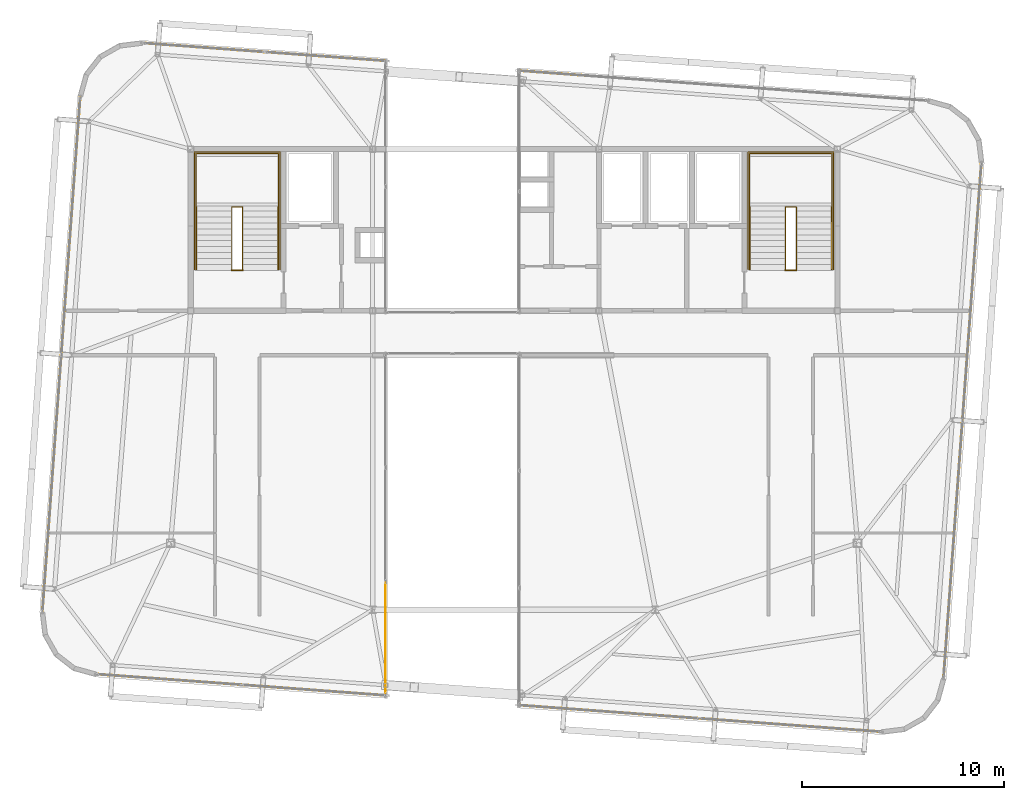
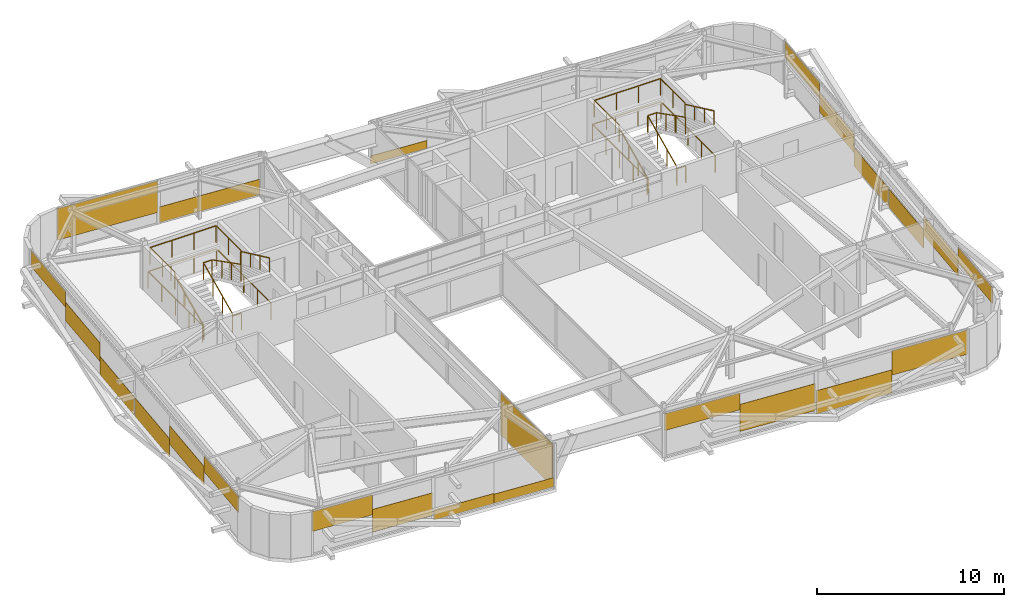
# One storey, part 39 of 40: 24 coverings, 12 railings.
"""IFC4 building model written with IfcOpenShell, lengths in metres."""

from ifc_helpers import new_model, si_unit, direction, frame, origin, origin_2d, place, context, subcontext, project, spatial, rectangle, extrude, source, transform, mapped, material, layer, layer_set, type_object, element, save


model = new_model("IFC4")

# Units and contexts
model_context = context("Model", 3, precision=1e-05, world=origin(), true_north=direction((0.0, 1.0)))
body_context = subcontext(model_context, "Body", "Model", "MODEL_VIEW")
ifc_project = project(units=[si_unit("LENGTHUNIT", "METRE"), si_unit("AREAUNIT", "SQUARE_METRE"), si_unit("VOLUMEUNIT", "CUBIC_METRE"), si_unit("PLANEANGLEUNIT", "RADIAN"), si_unit("MASSUNIT", "GRAM", prefix="KILO")], contexts=[model_context])

# Site, building, storey
site_placement = place(None, origin())
site = spatial("IfcSite", under=ifc_project, at=site_placement, CompositionType="ELEMENT")
building_placement = place(site_placement, origin())
building = spatial("IfcBuilding", under=site, at=building_placement, Name="Taldren Reach Tower", CompositionType="ELEMENT")
storey_placement = place(building_placement, frame((0.0, 0.0, 233.449951171875)))
storey = spatial("IfcBuildingStorey", under=building, at=storey_placement, Name="L71", CompositionType="ELEMENT", Elevation=233.449951171875)

# Railings
ifc_material_1 = material(Name="Steel Gr 350 (C350L0)", Category="steel")
ifc_layer_1 = layer(ifc_material_1, 0.050048828125)
ifc_layer_set_1 = layer_set([ifc_layer_1], Name="Steel Gr 350 (C350L0)")
railing_type_1 = type_object("IfcRailingType", Name="RL-STAIR-GR", PredefinedType="GUARDRAIL", material=ifc_layer_set_1)
railing_1_placement = place(storey_placement, frame((19.260009765625, 29.135009765625, 1.574951171875)))
element("IfcRailing", 1, at=railing_1_placement, inside=storey, type_object=railing_type_1, Name="Stair half-landing perimeter guard ST1-L71", PredefinedType="GUARDRAIL", context=body_context, shape_type="SweptSolid", body=[
    extrude(rectangle(XDim=0.047852, YDim=0.047852, at=origin_2d()), frame((0.0, 0.0, 1.09619140625), z_axis=(0.0, 1.0, 0.0), x_axis=(-1.0, 0.0, 0.0)), (0.0, 0.0, 1.0), 2.64501953125),
    extrude(rectangle(XDim=0.047852, YDim=0.047852, at=origin_2d()), frame((0.0, 2.64501953125, 1.09619140625), z_axis=(1.0, 0.0, 0.0), x_axis=(0.0, 1.0, 0.0)), (0.0, 0.0, 1.0), 4.080078125),
    extrude(rectangle(XDim=0.047852, YDim=0.047852, at=origin_2d()), frame((4.080078125, 2.64501953125, 1.09619140625), z_axis=(0.0, -1.0, 0.0), x_axis=(1.0, 0.0, 0.0)), (0.0, 0.0, 1.0), 2.64501953125),
    extrude(rectangle(XDim=0.041992, YDim=0.041992, at=origin_2d()), origin(), (0.0, 0.0, 1.0), 1.072021484375),
    extrude(rectangle(XDim=0.041992, YDim=0.041992, at=origin_2d()), frame((0.0, 1.322509765625, 0.0)), (0.0, 0.0, 1.0), 1.072021484375),
    extrude(rectangle(XDim=0.041992, YDim=0.041992, at=origin_2d()), frame((0.0, 2.64501953125, 0.0)), (0.0, 0.0, 1.0), 1.072021484375),
    extrude(rectangle(XDim=0.041992, YDim=0.041992, at=origin_2d()), frame((1.360107421875, 2.64501953125, 0.0)), (0.0, 0.0, 1.0), 1.072021484375),
    extrude(rectangle(XDim=0.041992, YDim=0.041992, at=origin_2d()), frame((2.719970703125, 2.64501953125, 0.0)), (0.0, 0.0, 1.0), 1.072021484375),
    extrude(rectangle(XDim=0.041992, YDim=0.041992, at=origin_2d()), frame((4.080078125, 2.64501953125, 0.0)), (0.0, 0.0, 1.0), 1.072021484375),
    extrude(rectangle(XDim=0.041992, YDim=0.041992, at=origin_2d()), frame((4.080078125, 1.322509765625, 0.0)), (0.0, 0.0, 1.0), 1.072021484375),
    extrude(rectangle(XDim=0.041992, YDim=0.041992, at=origin_2d()), frame((4.080078125, 0.0, 0.0)), (0.0, 0.0, 1.0), 1.072021484375),
])
railing_2_placement = place(storey_placement, frame((21.030029296875, 26.050048828125, 0.13134765625)))
element("IfcRailing", 2, at=railing_2_placement, inside=storey, type_object=railing_type_1, Name="Stairwell inner guard ST1-L71", PredefinedType="GUARDRAIL", context=body_context, shape_type="SweptSolid", body=[
    extrude(rectangle(XDim=0.047852, YDim=0.047852, at=origin_2d()), frame((0.0, 0.0, 1.09619140625), z_axis=(0.0, 0.905737652094, 0.423838773095), x_axis=(-1.0, 0.0, 0.0)), (0.0, 0.0, 1.0), 3.406005859375),
    extrude(rectangle(XDim=0.047852, YDim=0.047852, at=origin_2d()), frame((0.0, 3.0849609375, 2.53955078125), z_axis=(1.0, 0.0, 0.0), x_axis=(0.0, 1.0, 0.0)), (0.0, 0.0, 1.0), 0.5400390625),
    extrude(rectangle(XDim=0.047852, YDim=0.047852, at=origin_2d()), frame((0.5400390625, 3.0849609375, 2.53955078125), z_axis=(0.0, -0.890617412389, 0.454753366946), x_axis=(1.0, 0.0, 0.0)), (0.0, 0.0, 1.0), 3.4638671875),
    extrude(rectangle(XDim=0.041992, YDim=0.041992, at=origin_2d()), origin(), (0.0, 0.0, 1.0), 1.072021484375),
    extrude(rectangle(XDim=0.041992, YDim=0.041992, at=origin_2d()), frame((0.0, 1.0283203125, 0.481201171875)), (0.0, 0.0, 1.0), 1.072021484375),
    extrude(rectangle(XDim=0.041992, YDim=0.041992, at=origin_2d()), frame((0.0, 2.056640625, 0.96240234375)), (0.0, 0.0, 1.0), 1.072021484375),
    extrude(rectangle(XDim=0.041992, YDim=0.041992, at=origin_2d()), frame((0.0, 3.0849609375, 1.443603515625)), (0.0, 0.0, 1.0), 1.072021484375),
    extrude(rectangle(XDim=0.041992, YDim=0.041992, at=origin_2d()), frame((0.5400390625, 3.0849609375, 1.443603515625)), (0.0, 0.0, 1.0), 1.072021484375),
    extrude(rectangle(XDim=0.041992, YDim=0.041992, at=origin_2d()), frame((0.5400390625, 2.056640625, 1.96875)), (0.0, 0.0, 1.0), 1.072021484375),
    extrude(rectangle(XDim=0.041992, YDim=0.041992, at=origin_2d()), frame((0.5400390625, 1.0283203125, 2.49365234375)), (0.0, 0.0, 1.0), 1.072021484375),
    extrude(rectangle(XDim=0.041992, YDim=0.041992, at=origin_2d()), frame((0.5400390625, 0.0, 3.018798828125)), (0.0, 0.0, 1.0), 1.072021484375),
])
railing_3_placement = place(storey_placement, frame((21.030029296875, 26.010009765625, 0.0)))
element("IfcRailing", 3, at=railing_3_placement, inside=storey, type_object=railing_type_1, Name="Stairwell landing slot guard ST1-L71", PredefinedType="GUARDRAIL", context=body_context, shape_type="SweptSolid", body=[
    extrude(rectangle(XDim=0.047852, YDim=0.047852, at=origin_2d()), frame((0.0, 0.0, 1.09619140625), z_axis=(1.0, 0.0, 0.0), x_axis=(0.0, 1.0, 0.0)), (0.0, 0.0, 1.0), 0.5400390625),
    extrude(rectangle(XDim=0.041992, YDim=0.041992, at=origin_2d()), origin(), (0.0, 0.0, 1.0), 1.072021484375),
    extrude(rectangle(XDim=0.041992, YDim=0.041992, at=origin_2d()), frame((0.5400390625, 0.0, 0.0)), (0.0, 0.0, 1.0), 1.072021484375),
])
railing_4_placement = place(storey_placement, frame((19.18994140625, 26.050048828125, 0.0)))
element("IfcRailing", 4, at=railing_4_placement, inside=storey, type_object=railing_type_1, Name="Stairwell floor opening guard ST1-L71", PredefinedType="GUARDRAIL", context=body_context, shape_type="SweptSolid", body=[
    extrude(rectangle(XDim=0.047852, YDim=0.047852, at=origin_2d()), frame((0.0, 0.0, 1.09619140625), z_axis=(0.0, 1.0, 0.0), x_axis=(-1.0, 0.0, 0.0)), (0.0, 0.0, 1.0), 5.800048828125),
    extrude(rectangle(XDim=0.047852, YDim=0.047852, at=origin_2d()), frame((0.0, 5.800048828125, 1.09619140625), z_axis=(1.0, 0.0, 0.0), x_axis=(0.0, 1.0, 0.0)), (0.0, 0.0, 1.0), 4.219970703125),
    extrude(rectangle(XDim=0.047852, YDim=0.047852, at=origin_2d()), frame((4.219970703125, 5.800048828125, 1.09619140625), z_axis=(0.0, -1.0, 0.0), x_axis=(1.0, 0.0, 0.0)), (0.0, 0.0, 1.0), 5.800048828125),
    extrude(rectangle(XDim=0.041992, YDim=0.041992, at=origin_2d()), origin(), (0.0, 0.0, 1.0), 1.072021484375),
    extrude(rectangle(XDim=0.041992, YDim=0.041992, at=origin_2d()), frame((0.0, 1.449951171875, 0.0)), (0.0, 0.0, 1.0), 1.072021484375),
    extrude(rectangle(XDim=0.041992, YDim=0.041992, at=origin_2d()), frame((0.0, 2.89990234375, 0.0)), (0.0, 0.0, 1.0), 1.072021484375),
    extrude(rectangle(XDim=0.041992, YDim=0.041992, at=origin_2d()), frame((0.0, 4.35009765625, 0.0)), (0.0, 0.0, 1.0), 1.072021484375),
    extrude(rectangle(XDim=0.041992, YDim=0.041992, at=origin_2d()), frame((0.0, 5.800048828125, 0.0)), (0.0, 0.0, 1.0), 1.072021484375),
    extrude(rectangle(XDim=0.041992, YDim=0.041992, at=origin_2d()), frame((1.40673828125, 5.800048828125, 0.0)), (0.0, 0.0, 1.0), 1.072021484375),
    extrude(rectangle(XDim=0.041992, YDim=0.041992, at=origin_2d()), frame((2.813232421875, 5.800048828125, 0.0)), (0.0, 0.0, 1.0), 1.072021484375),
    extrude(rectangle(XDim=0.041992, YDim=0.041992, at=origin_2d()), frame((4.219970703125, 5.800048828125, 0.0)), (0.0, 0.0, 1.0), 1.072021484375),
    extrude(rectangle(XDim=0.041992, YDim=0.041992, at=origin_2d()), frame((4.219970703125, 4.35009765625, 0.0)), (0.0, 0.0, 1.0), 1.072021484375),
    extrude(rectangle(XDim=0.041992, YDim=0.041992, at=origin_2d()), frame((4.219970703125, 2.89990234375, 0.0)), (0.0, 0.0, 1.0), 1.072021484375),
    extrude(rectangle(XDim=0.041992, YDim=0.041992, at=origin_2d()), frame((4.219970703125, 1.449951171875, 0.0)), (0.0, 0.0, 1.0), 1.072021484375),
    extrude(rectangle(XDim=0.041992, YDim=0.041992, at=origin_2d()), frame((4.219970703125, 0.0, 0.0)), (0.0, 0.0, 1.0), 1.072021484375),
])
railing_5_placement = place(storey_placement, frame((46.659912109375, 29.135009765625, 1.574951171875)))
element("IfcRailing", 5, at=railing_5_placement, inside=storey, type_object=railing_type_1, Name="Stair half-landing perimeter guard ST2-L71", PredefinedType="GUARDRAIL", context=body_context, shape_type="SweptSolid", body=[
    extrude(rectangle(XDim=0.047852, YDim=0.047852, at=origin_2d()), frame((0.0, 0.0, 1.09619140625), z_axis=(0.0, 1.0, 0.0), x_axis=(-1.0, 0.0, 0.0)), (0.0, 0.0, 1.0), 2.64501953125),
    extrude(rectangle(XDim=0.047852, YDim=0.047852, at=origin_2d()), frame((0.0, 2.64501953125, 1.09619140625), z_axis=(1.0, 0.0, 0.0), x_axis=(0.0, 1.0, 0.0)), (0.0, 0.0, 1.0), 4.080078125),
    extrude(rectangle(XDim=0.047852, YDim=0.047852, at=origin_2d()), frame((4.080078125, 2.64501953125, 1.09619140625), z_axis=(0.0, -1.0, 0.0), x_axis=(1.0, 0.0, 0.0)), (0.0, 0.0, 1.0), 2.64501953125),
    extrude(rectangle(XDim=0.041992, YDim=0.041992, at=origin_2d()), origin(), (0.0, 0.0, 1.0), 1.072021484375),
    extrude(rectangle(XDim=0.041992, YDim=0.041992, at=origin_2d()), frame((0.0, 1.322509765625, 0.0)), (0.0, 0.0, 1.0), 1.072021484375),
    extrude(rectangle(XDim=0.041992, YDim=0.041992, at=origin_2d()), frame((0.0, 2.64501953125, 0.0)), (0.0, 0.0, 1.0), 1.072021484375),
    extrude(rectangle(XDim=0.041992, YDim=0.041992, at=origin_2d()), frame((1.360107421875, 2.64501953125, 0.0)), (0.0, 0.0, 1.0), 1.072021484375),
    extrude(rectangle(XDim=0.041992, YDim=0.041992, at=origin_2d()), frame((2.719970703125, 2.64501953125, 0.0)), (0.0, 0.0, 1.0), 1.072021484375),
    extrude(rectangle(XDim=0.041992, YDim=0.041992, at=origin_2d()), frame((4.080078125, 2.64501953125, 0.0)), (0.0, 0.0, 1.0), 1.072021484375),
    extrude(rectangle(XDim=0.041992, YDim=0.041992, at=origin_2d()), frame((4.080078125, 1.322509765625, 0.0)), (0.0, 0.0, 1.0), 1.072021484375),
    extrude(rectangle(XDim=0.041992, YDim=0.041992, at=origin_2d()), frame((4.080078125, 0.0, 0.0)), (0.0, 0.0, 1.0), 1.072021484375),
])
railing_6_placement = place(storey_placement, frame((48.429931640625, 26.050048828125, 0.13134765625)))
element("IfcRailing", 6, at=railing_6_placement, inside=storey, type_object=railing_type_1, Name="Stairwell inner guard ST2-L71", PredefinedType="GUARDRAIL", context=body_context, shape_type="SweptSolid", body=[
    extrude(rectangle(XDim=0.047852, YDim=0.047852, at=origin_2d()), frame((0.0, 0.0, 1.09619140625), z_axis=(0.0, 0.905737652094, 0.423838773095), x_axis=(-1.0, 0.0, 0.0)), (0.0, 0.0, 1.0), 3.406005859375),
    extrude(rectangle(XDim=0.047852, YDim=0.047852, at=origin_2d()), frame((0.0, 3.0849609375, 2.53955078125), z_axis=(1.0, 0.0, 0.0), x_axis=(0.0, 1.0, 0.0)), (0.0, 0.0, 1.0), 0.5400390625),
    extrude(rectangle(XDim=0.047852, YDim=0.047852, at=origin_2d()), frame((0.5400390625, 3.0849609375, 2.53955078125), z_axis=(0.0, -0.890617412389, 0.454753366946), x_axis=(1.0, 0.0, 0.0)), (0.0, 0.0, 1.0), 3.4638671875),
    extrude(rectangle(XDim=0.041992, YDim=0.041992, at=origin_2d()), origin(), (0.0, 0.0, 1.0), 1.072021484375),
    extrude(rectangle(XDim=0.041992, YDim=0.041992, at=origin_2d()), frame((0.0, 1.0283203125, 0.481201171875)), (0.0, 0.0, 1.0), 1.072021484375),
    extrude(rectangle(XDim=0.041992, YDim=0.041992, at=origin_2d()), frame((0.0, 2.056640625, 0.96240234375)), (0.0, 0.0, 1.0), 1.072021484375),
    extrude(rectangle(XDim=0.041992, YDim=0.041992, at=origin_2d()), frame((0.0, 3.0849609375, 1.443603515625)), (0.0, 0.0, 1.0), 1.072021484375),
    extrude(rectangle(XDim=0.041992, YDim=0.041992, at=origin_2d()), frame((0.5400390625, 3.0849609375, 1.443603515625)), (0.0, 0.0, 1.0), 1.072021484375),
    extrude(rectangle(XDim=0.041992, YDim=0.041992, at=origin_2d()), frame((0.5400390625, 2.056640625, 1.96875)), (0.0, 0.0, 1.0), 1.072021484375),
    extrude(rectangle(XDim=0.041992, YDim=0.041992, at=origin_2d()), frame((0.5400390625, 1.0283203125, 2.49365234375)), (0.0, 0.0, 1.0), 1.072021484375),
    extrude(rectangle(XDim=0.041992, YDim=0.041992, at=origin_2d()), frame((0.5400390625, 0.0, 3.018798828125)), (0.0, 0.0, 1.0), 1.072021484375),
])
railing_7_placement = place(storey_placement, frame((48.429931640625, 26.010009765625, 0.0)))
element("IfcRailing", 7, at=railing_7_placement, inside=storey, type_object=railing_type_1, Name="Stairwell landing slot guard ST2-L71", PredefinedType="GUARDRAIL", context=body_context, shape_type="SweptSolid", body=[
    extrude(rectangle(XDim=0.047852, YDim=0.047852, at=origin_2d()), frame((0.0, 0.0, 1.09619140625), z_axis=(1.0, 0.0, 0.0), x_axis=(0.0, 1.0, 0.0)), (0.0, 0.0, 1.0), 0.5400390625),
    extrude(rectangle(XDim=0.041992, YDim=0.041992, at=origin_2d()), origin(), (0.0, 0.0, 1.0), 1.072021484375),
    extrude(rectangle(XDim=0.041992, YDim=0.041992, at=origin_2d()), frame((0.5400390625, 0.0, 0.0)), (0.0, 0.0, 1.0), 1.072021484375),
])
railing_8_placement = place(storey_placement, frame((46.590087890625, 26.050048828125, 0.0)))
element("IfcRailing", 8, at=railing_8_placement, inside=storey, type_object=railing_type_1, Name="Stairwell floor opening guard ST2-L71", PredefinedType="GUARDRAIL", context=body_context, shape_type="SweptSolid", body=[
    extrude(rectangle(XDim=0.047852, YDim=0.047852, at=origin_2d()), frame((0.0, 0.0, 1.09619140625), z_axis=(0.0, 1.0, 0.0), x_axis=(-1.0, 0.0, 0.0)), (0.0, 0.0, 1.0), 5.800048828125),
    extrude(rectangle(XDim=0.047852, YDim=0.047852, at=origin_2d()), frame((0.0, 5.800048828125, 1.09619140625), z_axis=(1.0, 0.0, 0.0), x_axis=(0.0, 1.0, 0.0)), (0.0, 0.0, 1.0), 4.219970703125),
    extrude(rectangle(XDim=0.047852, YDim=0.047852, at=origin_2d()), frame((4.219970703125, 5.800048828125, 1.09619140625), z_axis=(0.0, -1.0, 0.0), x_axis=(1.0, 0.0, 0.0)), (0.0, 0.0, 1.0), 5.800048828125),
    extrude(rectangle(XDim=0.041992, YDim=0.041992, at=origin_2d()), origin(), (0.0, 0.0, 1.0), 1.072021484375),
    extrude(rectangle(XDim=0.041992, YDim=0.041992, at=origin_2d()), frame((0.0, 1.449951171875, 0.0)), (0.0, 0.0, 1.0), 1.072021484375),
    extrude(rectangle(XDim=0.041992, YDim=0.041992, at=origin_2d()), frame((0.0, 2.89990234375, 0.0)), (0.0, 0.0, 1.0), 1.072021484375),
    extrude(rectangle(XDim=0.041992, YDim=0.041992, at=origin_2d()), frame((0.0, 4.35009765625, 0.0)), (0.0, 0.0, 1.0), 1.072021484375),
    extrude(rectangle(XDim=0.041992, YDim=0.041992, at=origin_2d()), frame((0.0, 5.800048828125, 0.0)), (0.0, 0.0, 1.0), 1.072021484375),
    extrude(rectangle(XDim=0.041992, YDim=0.041992, at=origin_2d()), frame((1.40673828125, 5.800048828125, 0.0)), (0.0, 0.0, 1.0), 1.072021484375),
    extrude(rectangle(XDim=0.041992, YDim=0.041992, at=origin_2d()), frame((2.813232421875, 5.800048828125, 0.0)), (0.0, 0.0, 1.0), 1.072021484375),
    extrude(rectangle(XDim=0.041992, YDim=0.041992, at=origin_2d()), frame((4.219970703125, 5.800048828125, 0.0)), (0.0, 0.0, 1.0), 1.072021484375),
    extrude(rectangle(XDim=0.041992, YDim=0.041992, at=origin_2d()), frame((4.219970703125, 4.35009765625, 0.0)), (0.0, 0.0, 1.0), 1.072021484375),
    extrude(rectangle(XDim=0.041992, YDim=0.041992, at=origin_2d()), frame((4.219970703125, 2.89990234375, 0.0)), (0.0, 0.0, 1.0), 1.072021484375),
    extrude(rectangle(XDim=0.041992, YDim=0.041992, at=origin_2d()), frame((4.219970703125, 1.449951171875, 0.0)), (0.0, 0.0, 1.0), 1.072021484375),
    extrude(rectangle(XDim=0.041992, YDim=0.041992, at=origin_2d()), frame((4.219970703125, 0.0, 0.0)), (0.0, 0.0, 1.0), 1.072021484375),
])
ifc_material_2 = material(Name="Stainless Steel Gr 316", Category="steel")
ifc_layer_2 = layer(ifc_material_2, 0.048095703125)
ifc_layer_set_2 = layer_set([ifc_layer_2], Name="Stainless Steel Gr 316")
railing_type_2 = type_object("IfcRailingType", Name="RL-STAIR-HR", PredefinedType="HANDRAIL", material=ifc_layer_set_2)
railing_9_placement = place(storey_placement, frame((19.27001953125, 26.050048828125, 0.13134765625)))
element("IfcRailing", 9, at=railing_9_placement, inside=storey, type_object=railing_type_2, Name="Stair flight handrail ST1-L71-1", PredefinedType="HANDRAIL", context=body_context, shape_type="SweptSolid", body=[
    extrude(rectangle(XDim=0.047852, YDim=0.047852, at=origin_2d()), frame((0.0, 0.0, 0.89599609375), z_axis=(0.0, 0.905737652094, 0.423838773095), x_axis=(-1.0, 0.0, 0.0)), (0.0, 0.0, 1.0), 3.406005859375),
    extrude(rectangle(XDim=0.041992, YDim=0.041992, at=origin_2d()), origin(), (0.0, 0.0, 1.0), 0.871826171875),
    extrude(rectangle(XDim=0.041992, YDim=0.041992, at=origin_2d()), frame((0.0, 1.0283203125, 0.481201171875)), (0.0, 0.0, 1.0), 0.871826171875),
    extrude(rectangle(XDim=0.041992, YDim=0.041992, at=origin_2d()), frame((0.0, 2.056640625, 0.96240234375)), (0.0, 0.0, 1.0), 0.871826171875),
    extrude(rectangle(XDim=0.041992, YDim=0.041992, at=origin_2d()), frame((0.0, 3.0849609375, 1.443603515625)), (0.0, 0.0, 1.0), 0.871826171875),
])
railing_10_placement = place(storey_placement, frame((23.330078125, 29.135009765625, 1.706298828125)))
element("IfcRailing", 10, at=railing_10_placement, inside=storey, type_object=railing_type_2, Name="Stair flight handrail ST1-L71-2", PredefinedType="HANDRAIL", context=body_context, shape_type="SweptSolid", body=[
    extrude(rectangle(XDim=0.047852, YDim=0.047852, at=origin_2d()), frame((0.0, 0.0, 0.89599609375), z_axis=(0.0, -0.905710134349, 0.423897573167), x_axis=(1.0, 0.0, 0.0)), (0.0, 0.0, 1.0), 3.406005859375),
    extrude(rectangle(XDim=0.041992, YDim=0.041992, at=origin_2d()), origin(), (0.0, 0.0, 1.0), 0.871826171875),
    extrude(rectangle(XDim=0.041992, YDim=0.041992, at=origin_2d()), frame((0.0, -1.0283203125, 0.481201171875)), (0.0, 0.0, 1.0), 0.871826171875),
    extrude(rectangle(XDim=0.041992, YDim=0.041992, at=origin_2d()), frame((0.0, -2.056640625, 0.962646484375)), (0.0, 0.0, 1.0), 0.871826171875),
    extrude(rectangle(XDim=0.041992, YDim=0.041992, at=origin_2d()), frame((0.0, -3.0849609375, 1.44384765625)), (0.0, 0.0, 1.0), 0.871826171875),
])
railing_11_placement = place(storey_placement, frame((46.669921875, 26.050048828125, 0.13134765625)))
element("IfcRailing", 11, at=railing_11_placement, inside=storey, type_object=railing_type_2, Name="Stair flight handrail ST2-L71-1", PredefinedType="HANDRAIL", context=body_context, shape_type="SweptSolid", body=[
    extrude(rectangle(XDim=0.047852, YDim=0.047852, at=origin_2d()), frame((0.0, 0.0, 0.89599609375), z_axis=(0.0, 0.905737652094, 0.423838773095), x_axis=(-1.0, 0.0, 0.0)), (0.0, 0.0, 1.0), 3.406005859375),
    extrude(rectangle(XDim=0.041992, YDim=0.041992, at=origin_2d()), origin(), (0.0, 0.0, 1.0), 0.871826171875),
    extrude(rectangle(XDim=0.041992, YDim=0.041992, at=origin_2d()), frame((0.0, 1.0283203125, 0.481201171875)), (0.0, 0.0, 1.0), 0.871826171875),
    extrude(rectangle(XDim=0.041992, YDim=0.041992, at=origin_2d()), frame((0.0, 2.056640625, 0.96240234375)), (0.0, 0.0, 1.0), 0.871826171875),
    extrude(rectangle(XDim=0.041992, YDim=0.041992, at=origin_2d()), frame((0.0, 3.0849609375, 1.443603515625)), (0.0, 0.0, 1.0), 0.871826171875),
])
railing_12_placement = place(storey_placement, frame((50.72998046875, 29.135009765625, 1.706298828125)))
element("IfcRailing", 12, at=railing_12_placement, inside=storey, type_object=railing_type_2, Name="Stair flight handrail ST2-L71-2", PredefinedType="HANDRAIL", context=body_context, shape_type="SweptSolid", body=[
    extrude(rectangle(XDim=0.047852, YDim=0.047852, at=origin_2d()), frame((0.0, 0.0, 0.89599609375), z_axis=(0.0, -0.905710134349, 0.423897573167), x_axis=(1.0, 0.0, 0.0)), (0.0, 0.0, 1.0), 3.406005859375),
    extrude(rectangle(XDim=0.041992, YDim=0.041992, at=origin_2d()), origin(), (0.0, 0.0, 1.0), 0.871826171875),
    extrude(rectangle(XDim=0.041992, YDim=0.041992, at=origin_2d()), frame((0.0, -1.0283203125, 0.481201171875)), (0.0, 0.0, 1.0), 0.871826171875),
    extrude(rectangle(XDim=0.041992, YDim=0.041992, at=origin_2d()), frame((0.0, -2.056640625, 0.962646484375)), (0.0, 0.0, 1.0), 0.871826171875),
    extrude(rectangle(XDim=0.041992, YDim=0.041992, at=origin_2d()), frame((0.0, -3.0849609375, 1.44384765625)), (0.0, 0.0, 1.0), 0.871826171875),
])

# Coverings
ifc_material_3 = material(Name="Pale Champagne Fluoropolymer Aluminium Spandrel Cladding", Category="aluminium")
ifc_layer_3 = layer(ifc_material_3, 0.0439453125)
ifc_layer_set_3 = layer_set([ifc_layer_3], Name="Pale Champagne Fluoropolymer Aluminium Spandrel Cladding")
covering_type = type_object("IfcCoveringType", Name="CV-CLAD-044", PredefinedType="CLADDING", material=ifc_layer_set_3)
shared_shape_1 = source(origin(), body_context, "Body", "SweptSolid", [
    extrude(rectangle(XDim=3.564697265625, YDim=0.0439453125, at=origin_2d()), origin(), (0.0, 0.0, 1.0), 1.295166015625),
])
covering_1_placement = place(storey_placement, frame((16.15771484375, 5.874267578125, 1.5146484375), z_axis=(0.0, 0.0, 1.0), x_axis=(0.997314480811, -0.073238148285, 0.0)))
element("IfcCovering", 13, at=covering_1_placement, inside=storey, type_object=covering_type, Name="Diagrid closure cladding strip CW-7 panel 1.1 1", PredefinedType="CLADDING", context=body_context, shape_type="MappedRepresentation", body=[
    mapped(shared_shape_1, transform((0.0, 0.0, 0.0), scale=1.0)),
])
shared_shape_2 = source(origin(), body_context, "Body", "SweptSolid", [
    extrude(rectangle(XDim=3.564697265625, YDim=0.0439453125, at=origin_2d()), origin(), (0.0, 0.0, 1.0), 1.48046875),
])
covering_2_placement = place(storey_placement, frame((19.712890625, 5.613037109375, 0.385498046875), z_axis=(0.0, 0.0, 1.0), x_axis=(0.997314480811, -0.073238148285, 0.0)))
element("IfcCovering", 14, at=covering_2_placement, inside=storey, type_object=covering_type, Name="Diagrid closure cladding strip CW-7 panel 1.1 2", PredefinedType="CLADDING", context=body_context, shape_type="MappedRepresentation", body=[
    mapped(shared_shape_2, transform((0.0, 0.0, 0.0), scale=1.0)),
])
shared_shape_3 = source(origin(), body_context, "Body", "SweptSolid", [
    extrude(rectangle(XDim=3.564697265625, YDim=0.0439453125, at=origin_2d()), origin(), (0.0, 0.0, 1.0), 0.652587890625),
])
covering_3_placement = place(storey_placement, frame((23.342529296875, 5.346435546875, 0.06005859375), z_axis=(0.0, 0.0, 1.0), x_axis=(0.997314480811, -0.073238148285, 0.0)))
element("IfcCovering", 15, at=covering_3_placement, inside=storey, type_object=covering_type, Name="Diagrid closure cladding strip CW-7 panel 2.1 1", PredefinedType="CLADDING", context=body_context, shape_type="MappedRepresentation", body=[
    mapped(shared_shape_3, transform((0.0, 0.0, 0.0), scale=1.0)),
])
shared_shape_4 = source(origin(), body_context, "Body", "SweptSolid", [
    extrude(rectangle(XDim=3.564697265625, YDim=0.0439453125, at=origin_2d()), origin(), (0.0, 0.0, 1.0), 0.601806640625),
])
covering_4_placement = place(storey_placement, frame((26.897705078125, 5.08544921875, 0.06005859375), z_axis=(0.0, 0.0, 1.0), x_axis=(0.997314480811, -0.073238148285, 0.0)))
element("IfcCovering", 16, at=covering_4_placement, inside=storey, type_object=covering_type, Name="Diagrid closure cladding strip CW-7 panel 2.1 2", PredefinedType="CLADDING", context=body_context, shape_type="MappedRepresentation", body=[
    mapped(shared_shape_4, transform((0.0, 0.0, 0.0), scale=1.0)),
])
shared_shape_5 = source(origin(), body_context, "Body", "SweptSolid", [
    extrude(rectangle(XDim=4.468505859375, YDim=0.0439453125, at=origin_2d()), origin(), (0.0, 0.0, 1.0), 1.09375),
])
covering_5_placement = place(storey_placement, frame((37.453125, 4.310302734375, 1.71630859375), z_axis=(0.0, 0.0, 1.0), x_axis=(0.997314485363, -0.073238086301, 0.0)))
element("IfcCovering", 17, at=covering_5_placement, inside=storey, type_object=covering_type, Name="Diagrid closure cladding strip CW-7 panel 1.1 1", PredefinedType="CLADDING", context=body_context, shape_type="MappedRepresentation", body=[
    mapped(shared_shape_5, transform((0.0, 0.0, 0.0), scale=1.0)),
])
shared_shape_6 = source(origin(), body_context, "Body", "SweptSolid", [
    extrude(rectangle(XDim=4.468505859375, YDim=0.0439453125, at=origin_2d()), origin(), (0.0, 0.0, 1.0), 1.766845703125),
])
covering_6_placement = place(storey_placement, frame((41.90966796875, 3.983154296875, 0.30029296875), z_axis=(0.0, 0.0, 1.0), x_axis=(0.997314485363, -0.073238086301, 0.0)))
element("IfcCovering", 18, at=covering_6_placement, inside=storey, type_object=covering_type, Name="Diagrid closure cladding strip CW-7 panel 1.1 2", PredefinedType="CLADDING", context=body_context, shape_type="MappedRepresentation", body=[
    mapped(shared_shape_6, transform((0.0, 0.0, 0.0), scale=1.0)),
])
shared_shape_7 = source(origin(), body_context, "Body", "SweptSolid", [
    extrude(rectangle(XDim=4.468505859375, YDim=0.0439453125, at=origin_2d()), origin(), (0.0, 0.0, 1.0), 1.519287109375),
])
covering_7_placement = place(storey_placement, frame((46.441162109375, 3.650390625, 0.06005859375), z_axis=(0.0, 0.0, 1.0), x_axis=(0.997314485363, -0.073238086301, 0.0)))
element("IfcCovering", 19, at=covering_7_placement, inside=storey, type_object=covering_type, Name="Diagrid closure cladding strip CW-7 panel 2.1 1", PredefinedType="CLADDING", context=body_context, shape_type="MappedRepresentation", body=[
    mapped(shared_shape_7, transform((0.0, 0.0, 0.0), scale=1.0)),
])
shared_shape_8 = source(origin(), body_context, "Body", "SweptSolid", [
    extrude(rectangle(XDim=4.468505859375, YDim=0.0439453125, at=origin_2d()), origin(), (0.0, 0.0, 1.0), 1.58154296875),
])
covering_8_placement = place(storey_placement, frame((50.897705078125, 3.322998046875, 1.228515625), z_axis=(0.0, 0.0, 1.0), x_axis=(0.997314485363, -0.073238086301, 0.0)))
element("IfcCovering", 20, at=covering_8_placement, inside=storey, type_object=covering_type, Name="Diagrid closure cladding strip CW-7 panel 2.1 2", PredefinedType="CLADDING", context=body_context, shape_type="MappedRepresentation", body=[
    mapped(shared_shape_8, transform((0.0, 0.0, 0.0), scale=1.0)),
])
shared_shape_9 = source(origin(), body_context, "Body", "SweptSolid", [
    extrude(rectangle(XDim=3.34375, YDim=0.0439453125, at=origin_2d()), origin(), (0.0, 0.0, 1.0), 0.5185546875),
])
covering_9_placement = place(storey_placement, frame((36.89208984375, 35.755859375, 0.06005859375), z_axis=(0.0, 0.0, 1.0), x_axis=(-0.997314475893, 0.073238215265, 0.0)))
element("IfcCovering", 21, at=covering_9_placement, inside=storey, type_object=covering_type, Name="Diagrid closure cladding strip CW-7 panel 3.1 2", PredefinedType="CLADDING", context=body_context, shape_type="MappedRepresentation", body=[
    mapped(shared_shape_9, transform((0.0, 0.0, 0.0), scale=1.0)),
])
shared_shape_10 = source(origin(), body_context, "Body", "SweptSolid", [
    extrude(rectangle(XDim=5.979248046875, YDim=0.0439453125, at=origin_2d()), origin(), (0.0, 0.0, 1.0), 1.016845703125),
])
covering_10_placement = place(storey_placement, frame((25.693603515625, 36.578125, 0.06005859375), z_axis=(0.0, 0.0, 1.0), x_axis=(-0.99731449581, 0.073237944038, 0.0)))
element("IfcCovering", 22, at=covering_10_placement, inside=storey, type_object=covering_type, Name="Diagrid closure cladding strip CW-7 panel 1.1 1", PredefinedType="CLADDING", context=body_context, shape_type="MappedRepresentation", body=[
    mapped(shared_shape_10, transform((0.0, 0.0, 0.0), scale=1.0)),
])
shared_shape_11 = source(origin(), body_context, "Body", "SweptSolid", [
    extrude(rectangle(XDim=5.979248046875, YDim=0.0439453125, at=origin_2d()), origin(), (0.0, 0.0, 1.0), 2.060302734375),
])
covering_11_placement = place(storey_placement, frame((19.65576171875, 37.021728515625, 0.75), z_axis=(0.0, 0.0, 1.0), x_axis=(-0.99731449581, 0.073237944038, 0.0)))
element("IfcCovering", 23, at=covering_11_placement, inside=storey, type_object=covering_type, Name="Diagrid closure cladding strip CW-7 panel 2.1 1", PredefinedType="CLADDING", context=body_context, shape_type="MappedRepresentation", body=[
    mapped(shared_shape_11, transform((0.0, 0.0, 0.0), scale=1.0)),
])
shared_shape_12 = source(origin(), body_context, "Body", "SweptSolid", [
    extrude(rectangle(XDim=5.531005859375, YDim=0.0439453125, at=origin_2d()), origin(), (0.0, 0.0, 1.0), 2.75),
])
covering_12_placement = place(storey_placement, frame((28.639892578125, 7.7900390625, 0.06005859375), z_axis=(0.0, 0.0, 1.0), x_axis=(0.0, 1.0, 0.0)))
element("IfcCovering", 24, at=covering_12_placement, inside=storey, type_object=covering_type, Name="Diagrid closure cladding strip CW-7 panel 1.1 1", PredefinedType="CLADDING", context=body_context, shape_type="MappedRepresentation", body=[
    mapped(shared_shape_12, transform((0.0, 0.0, 0.0), scale=1.0)),
])
shared_shape_13 = source(origin(), body_context, "Body", "SweptSolid", [
    extrude(rectangle(XDim=4.229248046875, YDim=0.0439453125, at=origin_2d()), origin(), (0.0, 0.0, 1.0), 1.025146484375),
])
for number, where, z_axis, x_axis, name in (
    (25, (13.377197265625, 32.41943359375, 1.78515625), (0.0, 0.0, 1.0), (-0.073238282558, -0.997314470951, 0.0), "Diagrid closure cladding strip CW-7 panel 1.1 1"),
    (26, (11.822998046875, 11.255615234375, 1.78515625), (0.0, 0.0, 1.0), (-0.073238282558, -0.997314470951, 0.0), "Diagrid closure cladding strip CW-7 panel 2.1 3"),
    (27, (56.4228515625, 7.98046875, 1.78515625), (0.0, 0.0, 1.0), (0.073238282558, 0.997314470951, 0.0), "Diagrid closure cladding strip CW-7 panel 1.1 1"),
    (28, (57.97705078125, 29.144287109375, 1.78515625), (0.0, 0.0, 1.0), (0.073238282558, 0.997314470951, 0.0), "Diagrid closure cladding strip CW-7 panel 2.1 3"),
):
    element("IfcCovering", number, at=place(storey_placement, frame(where, z_axis=z_axis, x_axis=x_axis)), inside=storey, type_object=covering_type, Name=name, PredefinedType="CLADDING", context=body_context, shape_type="MappedRepresentation", body=[
        mapped(shared_shape_13, transform((0.0, 0.0, 0.0), scale=1.0)),
    ])
shared_shape_14 = source(origin(), body_context, "Body", "SweptSolid", [
    extrude(rectangle(XDim=4.229248046875, YDim=0.0439453125, at=origin_2d()), origin(), (0.0, 0.0, 1.0), 1.205810546875),
])
for number, where, z_axis, x_axis, name in (
    (29, (13.0673828125, 28.20166015625, 0.9208984375), (0.0, 0.0, 1.0), (-0.073238282558, -0.997314470951, 0.0), "Diagrid closure cladding strip CW-7 panel 1.1 2"),
    (30, (12.1328125, 15.473388671875, 0.9208984375), (0.0, 0.0, 1.0), (-0.073238282558, -0.997314470951, 0.0), "Diagrid closure cladding strip CW-7 panel 2.1 2"),
    (31, (56.732666015625, 12.1982421875, 0.9208984375), (0.0, 0.0, 1.0), (0.073238282558, 0.997314470951, 0.0), "Diagrid closure cladding strip CW-7 panel 1.1 2"),
    (32, (57.667236328125, 24.926513671875, 0.9208984375), (0.0, 0.0, 1.0), (0.073238282558, 0.997314470951, 0.0), "Diagrid closure cladding strip CW-7 panel 2.1 2"),
):
    element("IfcCovering", number, at=place(storey_placement, frame(where, z_axis=z_axis, x_axis=x_axis)), inside=storey, type_object=covering_type, Name=name, PredefinedType="CLADDING", context=body_context, shape_type="MappedRepresentation", body=[
        mapped(shared_shape_14, transform((0.0, 0.0, 0.0), scale=1.0)),
    ])
shared_shape_15 = source(origin(), body_context, "Body", "SweptSolid", [
    extrude(rectangle(XDim=4.229248046875, YDim=0.0439453125, at=origin_2d()), origin(), (0.0, 0.0, 1.0), 1.20263671875),
])
for number, where, z_axis, x_axis, name in (
    (33, (12.757568359375, 23.98388671875, 0.06005859375), (0.0, 0.0, 1.0), (-0.073238282558, -0.997314470951, 0.0), "Diagrid closure cladding strip CW-7 panel 1.1 3"),
    (34, (12.4423828125, 19.69140625, 0.06005859375), (0.0, 0.0, 1.0), (-0.073238282558, -0.997314470951, 0.0), "Diagrid closure cladding strip CW-7 panel 2.1 1"),
    (35, (57.042236328125, 16.416015625, 0.06005859375), (0.0, 0.0, 1.0), (0.073238282558, 0.997314470951, 0.0), "Diagrid closure cladding strip CW-7 panel 1.1 3"),
    (36, (57.357666015625, 20.708740234375, 0.06005859375), (0.0, 0.0, 1.0), (0.073238282558, 0.997314470951, 0.0), "Diagrid closure cladding strip CW-7 panel 2.1 1"),
):
    element("IfcCovering", number, at=place(storey_placement, frame(where, z_axis=z_axis, x_axis=x_axis)), inside=storey, type_object=covering_type, Name=name, PredefinedType="CLADDING", context=body_context, shape_type="MappedRepresentation", body=[
        mapped(shared_shape_15, transform((0.0, 0.0, 0.0), scale=1.0)),
    ])

save(model, "model.ifc")
